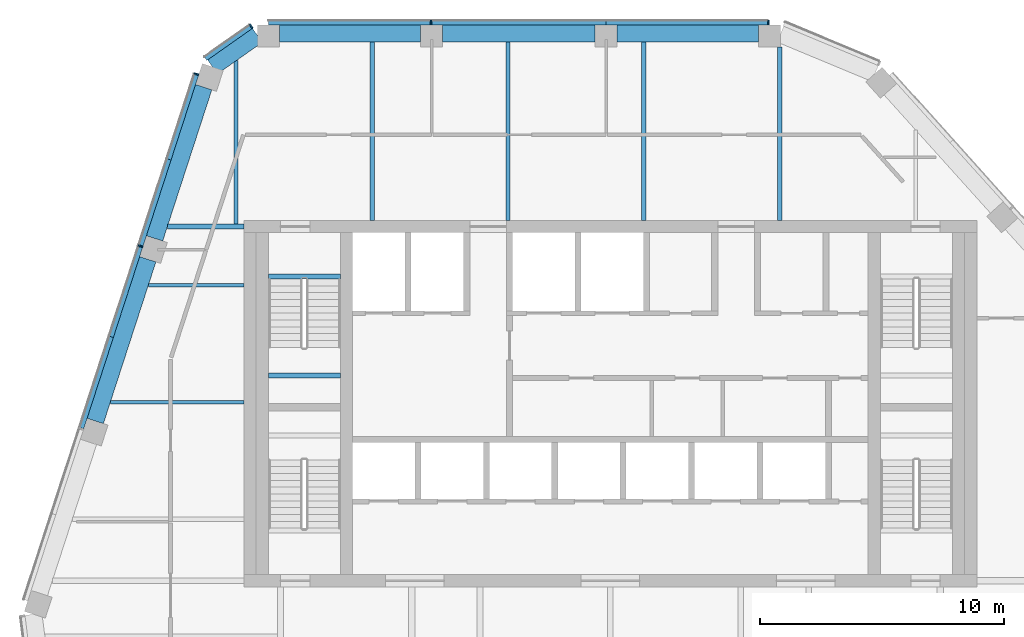
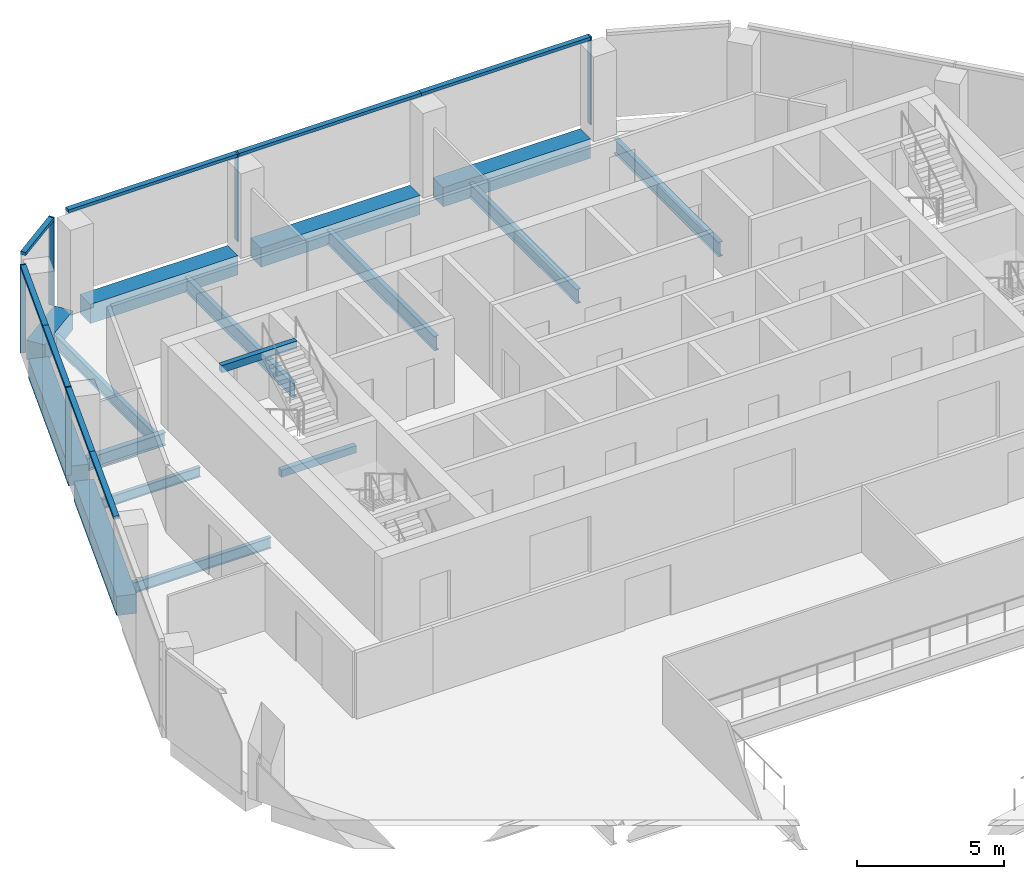
# One storey, part 5 of 15: 16 beams, 13 members, 3 elements without a shape of their own.
"""IFC4 building model written with IfcOpenShell, lengths in metres."""

from ifc_helpers import new_model, si_unit, direction, frame, origin, origin_2d, place, context, subcontext, project, spatial, rectangle, i_section, extrude, material, layer, layer_set, material_profile, profile_set, type_object, element, aggregate, save


model = new_model("IFC4")

# Units and contexts
model_context = context("Model", 3, precision=1e-05, world=origin(), true_north=direction((0.0, 1.0)))
body_context = subcontext(model_context, "Body", "Model", "MODEL_VIEW")
ifc_project = project(units=[si_unit("LENGTHUNIT", "METRE"), si_unit("AREAUNIT", "SQUARE_METRE"), si_unit("VOLUMEUNIT", "CUBIC_METRE"), si_unit("PLANEANGLEUNIT", "RADIAN"), si_unit("MASSUNIT", "GRAM", prefix="KILO")], contexts=[model_context])

# Site, building, storey
site_placement = place(None, origin())
site = spatial("IfcSite", under=ifc_project, at=site_placement, CompositionType="ELEMENT")
building_placement = place(site_placement, origin())
building = spatial("IfcBuilding", under=site, at=building_placement, Name="Isthmus Gate Tower", CompositionType="ELEMENT")
storey_placement = place(building_placement, frame((0.0, 0.0, 286.5)))
storey = spatial("IfcBuildingStorey", under=building, at=storey_placement, Name="L73", CompositionType="ELEMENT", Elevation=286.5)

# Curtain wall, members
ifc_material_1 = material(Name="Aluminium, pale champagne anodised", Category="aluminium")
ifc_layer = layer(ifc_material_1, 0.199951171875)
ifc_layer_set = layer_set([ifc_layer], Name="CW-1 UNITISED CURTAIN WALL 200 DEEP")
curtain_wall_type = type_object("IfcCurtainWallType", Name="CW-1 UNITISED CURTAIN WALL 200 DEEP", PredefinedType="NOTDEFINED", material=ifc_layer_set)
curtain_wall_1_placement = place(storey_placement, origin())
curtain_wall_1 = element("IfcCurtainWall", 1, at=curtain_wall_1_placement, inside=storey, type_object=curtain_wall_type, Name="CW-1 N L73", PredefinedType="NOTDEFINED")
ifc_material_2 = material(Name="Aluminium, pale champagne anodised", Category="aluminium")
ifc_material_profile_1 = material_profile(ifc_material_2, rectangle(XDim=0.06005859375, YDim=0.199951171875, at=origin_2d()), Name="60x200")
ifc_profile_set_1 = profile_set([ifc_material_profile_1], Name="Aluminium, pale champagne anodised")
member_type_1 = type_object("IfcMemberType", Name="CW-1 MULLION 60 X 200", PredefinedType="MULLION", material=ifc_profile_set_1)
member_1_placement = place(storey_placement, frame((6.4794921875, 23.10009765625, 0.0), z_axis=(0.0, 0.0, 1.0), x_axis=(-1.0, 0.0, 0.0)))
member_1 = element("IfcMember", 2, at=member_1_placement, type_object=member_type_1, Name="CW-1 mullion", PredefinedType="MULLION", context=body_context, shape_type="SweptSolid", body=[
    extrude(rectangle(XDim=0.06005859375, YDim=0.199951171875, at=origin_2d()), origin(), (0.0, 0.0, 1.0), 3.64990234375),
])
member_2_placement = place(storey_placement, frame((-7.339599609375, 23.10009765625, 0.0), z_axis=(0.0, 0.0, 1.0), x_axis=(-1.0, 0.0, 0.0)))
member_2 = element("IfcMember", 3, at=member_2_placement, type_object=member_type_1, Name="CW-1 mullion", PredefinedType="MULLION", context=body_context, shape_type="SweptSolid", body=[
    extrude(rectangle(XDim=0.06005859375, YDim=0.199951171875, at=origin_2d()), origin(), (0.0, 0.0, 1.0), 3.64990234375),
])

# Curtain wall, member
curtain_wall_2_placement = place(storey_placement, origin())
curtain_wall_2 = element("IfcCurtainWall", 4, at=curtain_wall_2_placement, inside=storey, type_object=curtain_wall_type, Name="CW-1 N-NW L73", PredefinedType="NOTDEFINED")
member_3_placement = place(storey_placement, frame((-14.69873046875, 22.943115234375, 0.0), z_axis=(0.0, 0.0, 1.0), x_axis=(-0.81785959165, -0.57541783805, 0.0)))
member_3 = element("IfcMember", 5, at=member_3_placement, type_object=member_type_1, Name="CW-1 mullion", PredefinedType="MULLION", context=body_context, shape_type="SweptSolid", body=[
    extrude(rectangle(XDim=0.06005859375, YDim=0.199951171875, at=origin_2d()), origin(), (0.0, 0.0, 1.0), 3.64990234375),
])

# Curtain wall, members
curtain_wall_3_placement = place(storey_placement, origin())
curtain_wall_3 = element("IfcCurtainWall", 6, at=curtain_wall_3_placement, inside=storey, type_object=curtain_wall_type, Name="CW-1 NW L73", PredefinedType="NOTDEFINED")
member_4_placement = place(storey_placement, frame((-16.9404296875, 20.9892578125, 0.0), z_axis=(0.0, 0.0, 1.0), x_axis=(-0.309016994375, -0.951056516295, 0.0)))
member_4 = element("IfcMember", 7, at=member_4_placement, type_object=member_type_1, Name="CW-1 mullion", PredefinedType="MULLION", context=body_context, shape_type="SweptSolid", body=[
    extrude(rectangle(XDim=0.06005859375, YDim=0.199951171875, at=origin_2d()), origin(), (0.0, 0.0, 1.0), 3.64990234375),
])
member_5_placement = place(storey_placement, frame((-19.229248046875, 13.945068359375, 0.0), z_axis=(0.0, 0.0, 1.0), x_axis=(-0.309016994375, -0.951056516295, 0.0)))
member_5 = element("IfcMember", 8, at=member_5_placement, type_object=member_type_1, Name="CW-1 mullion", PredefinedType="MULLION", context=body_context, shape_type="SweptSolid", body=[
    extrude(rectangle(XDim=0.06005859375, YDim=0.199951171875, at=origin_2d()), origin(), (0.0, 0.0, 1.0), 3.64990234375),
])

# Member
ifc_material_3 = material(Name="Aluminium, pale champagne anodised", Category="aluminium")
ifc_material_profile_2 = material_profile(ifc_material_3, rectangle(XDim=0.199951171875, YDim=0.1298828125, at=origin_2d()), Name="200x130")
ifc_profile_set_2 = profile_set([ifc_material_profile_2], Name="Aluminium, pale champagne anodised")
member_type_2 = type_object("IfcMemberType", Name="CW-1 TRANSOM 200 X 130", PredefinedType="USERDEFINED", material=ifc_profile_set_2)
member_6_placement = place(storey_placement, frame((6.449462890625, 23.10009765625, 3.5849609375), z_axis=(-1.0, 0.0, 0.0), x_axis=(0.0, -1.0, 0.0)))
member_6 = element("IfcMember", 9, at=member_6_placement, type_object=member_type_2, Name="CW-1 transom", ObjectType="TRANSOM", PredefinedType="USERDEFINED", context=body_context, shape_type="SweptSolid", body=[
    extrude(rectangle(XDim=0.199951171875, YDim=0.1298828125, at=origin_2d()), origin(), (0.0, 0.0, 1.0), 6.62451171875),
])

member_7_placement = place(storey_placement, frame((-0.175048828125, 23.10009765625, 3.5849609375), z_axis=(-1.0, 0.0, 0.0), x_axis=(0.0, -1.0, 0.0)))
member_7 = element("IfcMember", 10, at=member_7_placement, type_object=member_type_2, Name="CW-1 transom", ObjectType="TRANSOM", PredefinedType="USERDEFINED", context=body_context, shape_type="SweptSolid", body=[
    extrude(rectangle(XDim=0.199951171875, YDim=0.1298828125, at=origin_2d()), origin(), (0.0, 0.0, 1.0), 7.134521484375),
])

member_8_placement = place(storey_placement, frame((-7.36962890625, 23.10009765625, 3.5849609375), z_axis=(-1.0, 0.0, 0.0), x_axis=(0.0, -1.0, 0.0)))
member_8 = element("IfcMember", 11, at=member_8_placement, type_object=member_type_2, Name="CW-1 transom", ObjectType="TRANSOM", PredefinedType="USERDEFINED", context=body_context, shape_type="SweptSolid", body=[
    extrude(rectangle(XDim=0.199951171875, YDim=0.1298828125, at=origin_2d()), origin(), (0.0, 0.0, 1.0), 6.62451171875),
])

aggregate(curtain_wall_1, [member_1, member_6, member_7, member_2, member_8])

member_9_placement = place(storey_placement, frame((-14.723388671875, 22.92578125, 3.5849609375), z_axis=(-0.817868595604, -0.575405040233, 0.0), x_axis=(0.575405040233, -0.817868595604, 0.0)))
member_9 = element("IfcMember", 12, at=member_9_placement, type_object=member_type_2, Name="CW-1 transom", ObjectType="TRANSOM", PredefinedType="USERDEFINED", context=body_context, shape_type="SweptSolid", body=[
    extrude(rectangle(XDim=0.199951171875, YDim=0.1298828125, at=origin_2d()), origin(), (0.0, 0.0, 1.0), 2.258544921875),
])

aggregate(curtain_wall_2, [member_3, member_9])

member_10_placement = place(storey_placement, frame((-16.94970703125, 20.960693359375, 3.5849609375), z_axis=(-0.30904213216, -0.951048348166, 0.0), x_axis=(0.951048348166, -0.30904213216, 0.0)))
member_10 = element("IfcMember", 13, at=member_10_placement, type_object=member_type_2, Name="CW-1 transom", ObjectType="TRANSOM", PredefinedType="USERDEFINED", context=body_context, shape_type="SweptSolid", body=[
    extrude(rectangle(XDim=0.199951171875, YDim=0.1298828125, at=origin_2d()), origin(), (0.0, 0.0, 1.0), 3.6435546875),
])

member_11_placement = place(storey_placement, frame((-18.07568359375, 17.49560546875, 3.5849609375), z_axis=(-0.308999609488, -0.951062164812, 0.0), x_axis=(0.951062164812, -0.308999609488, 0.0)))
member_11 = element("IfcMember", 14, at=member_11_placement, type_object=member_type_2, Name="CW-1 transom", ObjectType="TRANSOM", PredefinedType="USERDEFINED", context=body_context, shape_type="SweptSolid", body=[
    extrude(rectangle(XDim=0.199951171875, YDim=0.1298828125, at=origin_2d()), origin(), (0.0, 0.0, 1.0), 3.703125),
])

member_12_placement = place(storey_placement, frame((-19.238525390625, 13.91650390625, 3.5849609375), z_axis=(-0.309061811928, -0.951041953022, 0.0), x_axis=(0.951041953022, -0.309061811928, 0.0)))
member_12 = element("IfcMember", 15, at=member_12_placement, type_object=member_type_2, Name="CW-1 transom", ObjectType="TRANSOM", PredefinedType="USERDEFINED", context=body_context, shape_type="SweptSolid", body=[
    extrude(rectangle(XDim=0.199951171875, YDim=0.1298828125, at=origin_2d()), origin(), (0.0, 0.0, 1.0), 3.868408203125),
])

member_13_placement = place(storey_placement, frame((-20.43408203125, 10.237548828125, 3.5849609375), z_axis=(-0.308984896154, -0.951066945041, 0.0), x_axis=(0.951066945041, -0.308984896154, 0.0)))
member_13 = element("IfcMember", 16, at=member_13_placement, type_object=member_type_2, Name="CW-1 transom", ObjectType="TRANSOM", PredefinedType="USERDEFINED", context=body_context, shape_type="SweptSolid", body=[
    extrude(rectangle(XDim=0.199951171875, YDim=0.1298828125, at=origin_2d()), origin(), (0.0, 0.0, 1.0), 3.928466796875),
])

aggregate(curtain_wall_3, [member_4, member_10, member_11, member_5, member_12, member_13])

# Beams
ifc_material_4 = material(Name="Concrete f'c 50 MPa", Category="concrete")
ifc_material_profile_3 = material_profile(ifc_material_4, rectangle(XDim=0.699951171875, YDim=0.800048828125, at=origin_2d()), Name="RC 700X800")
ifc_profile_set_3 = profile_set([ifc_material_profile_3], Name="Concrete f'c 50 MPa")
beam_type_1 = type_object("IfcBeamType", Name="RC SPANDREL 700 X 800", PredefinedType="SPANDREL", material=ifc_profile_set_3)
beam_1_placement = place(storey_placement, frame((-21.080810546875, 6.790283203125, -0.39990234375), z_axis=(0.309006716915, 0.951059855583, 0.0), x_axis=(-0.951059855583, 0.309006716915, 0.0)))
element("IfcBeam", 17, at=beam_1_placement, inside=storey, type_object=beam_type_1, Name="str-spandrel-L73-18", PredefinedType="SPANDREL", context=body_context, shape_type="SweptSolid", body=[
    extrude(rectangle(XDim=0.699951171875, YDim=0.800048828125, at=origin_2d()), origin(), (0.0, 0.0, 1.0), 6.956787109375),
])
beam_2_placement = place(storey_placement, frame((-18.653076171875, 14.262451171875, -0.39990234375), z_axis=(0.30901480678, 0.951057227085, 0.0), x_axis=(-0.951057227085, 0.30901480678, 0.0)))
element("IfcBeam", 18, at=beam_2_placement, inside=storey, type_object=beam_type_1, Name="str-spandrel-L73-19", PredefinedType="SPANDREL", context=body_context, shape_type="SweptSolid", body=[
    extrude(rectangle(XDim=0.699951171875, YDim=0.800048828125, at=origin_2d()), origin(), (0.0, 0.0, 1.0), 6.5068359375),
])
beam_3_placement = place(storey_placement, frame((-16.281005859375, 21.27978515625, -0.39990234375), z_axis=(0.817891678431, 0.57537222939, 0.0), x_axis=(-0.57537222939, 0.817891678431, 0.0)))
element("IfcBeam", 19, at=beam_3_placement, inside=storey, type_object=beam_type_1, Name="str-spandrel-L73-20", PredefinedType="SPANDREL", context=body_context, shape_type="SweptSolid", body=[
    extrude(rectangle(XDim=0.699951171875, YDim=0.800048828125, at=origin_2d()), origin(), (0.0, 0.0, 1.0), 2.245849609375),
])
beam_4_placement = place(storey_placement, frame((-13.544189453125, 22.64990234375, -0.39990234375), z_axis=(1.0, 0.0, 0.0), x_axis=(0.0, 1.0, 0.0)))
element("IfcBeam", 20, at=beam_4_placement, inside=storey, type_object=beam_type_1, Name="str-spandrel-L73-21", PredefinedType="SPANDREL", context=body_context, shape_type="SweptSolid", body=[
    extrude(rectangle(XDim=0.699951171875, YDim=0.800048828125, at=origin_2d()), origin(), (0.0, 0.0, 1.0), 5.78466796875),
])
beam_5_placement = place(storey_placement, frame((-6.859619140625, 22.64990234375, -0.39990234375), z_axis=(1.0, 0.0, 0.0), x_axis=(0.0, 1.0, 0.0)))
element("IfcBeam", 21, at=beam_5_placement, inside=storey, type_object=beam_type_1, Name="str-spandrel-L73-22", PredefinedType="SPANDREL", context=body_context, shape_type="SweptSolid", body=[
    extrude(rectangle(XDim=0.699951171875, YDim=0.800048828125, at=origin_2d()), origin(), (0.0, 0.0, 1.0), 6.234619140625),
])
beam_6_placement = place(storey_placement, frame((0.27490234375, 22.64990234375, -0.39990234375), z_axis=(1.0, 0.0, 0.0), x_axis=(0.0, 1.0, 0.0)))
element("IfcBeam", 22, at=beam_6_placement, inside=storey, type_object=beam_type_1, Name="str-spandrel-L73-23", PredefinedType="SPANDREL", context=body_context, shape_type="SweptSolid", body=[
    extrude(rectangle(XDim=0.699951171875, YDim=0.800048828125, at=origin_2d()), origin(), (0.0, 0.0, 1.0), 5.784423828125),
])
ifc_material_5 = material(Name="Concrete f'c 40 MPa", Category="concrete")
ifc_material_profile_4 = material_profile(ifc_material_5, rectangle(XDim=0.199951171875, YDim=0.300048828125, at=origin_2d()), Name="STAIR LANDING BEAM RC 200 X 300")
ifc_profile_set_4 = profile_set([ifc_material_profile_4], Name="Concrete f'c 40 MPa")
beam_type_2 = type_object("IfcBeamType", Name="STAIR LANDING BEAM RC 200 X 300", PredefinedType="BEAM", material=ifc_profile_set_4)
for number, where, z_axis, x_axis, name in (
    (23, (-14.0, 8.64990234375, 1.47509765625), (1.0, 0.0, 0.0), (0.0, 1.0, 0.0), "L73 ST1 landing beam 1"),
    (24, (-14.0, 12.7001953125, 3.35009765625), (1.0, 0.0, 0.0), (0.0, 1.0, 0.0), "L73 ST1 floor-edge seat beam"),
):
    element("IfcBeam", number, at=place(storey_placement, frame(where, z_axis=z_axis, x_axis=x_axis)), inside=storey, type_object=beam_type_2, Name=name, PredefinedType="BEAM", context=body_context, shape_type="SweptSolid", body=[
        extrude(rectangle(XDim=0.199951171875, YDim=0.300048828125, at=origin_2d()), origin(), (0.0, 0.0, 1.0), 2.949951171875),
    ])
ifc_material_6 = material(Name="Structural steel ASTM A992 Gr 50", Category="steel")
ifc_material_profile_5 = material_profile(ifc_material_6, i_section(OverallWidth=0.1396484375, OverallDepth=0.4033203125, WebThickness=0.00634765625, FlangeThickness=0.010986328125, at=origin_2d()), Name="W16X31")
ifc_profile_set_5 = profile_set([ifc_material_profile_5], Name="Structural steel ASTM A992 Gr 50")
beam_type_3 = type_object("IfcBeamType", Name="STEEL FLOOR BEAM W16X31", PredefinedType="JOIST", material=ifc_profile_set_5)
beam_7_placement = place(storey_placement, frame((-18.905517578125, 12.352294921875, -0.3515625), z_axis=(1.0, 0.0, 0.0), x_axis=(0.0, 1.0, 0.0)))
element("IfcBeam", 25, at=beam_7_placement, inside=storey, type_object=beam_type_3, Name="str-beam-L73-00-02", PredefinedType="JOIST", context=body_context, shape_type="SweptSolid", body=[
    extrude(i_section(OverallWidth=0.1396484375, OverallDepth=0.4033203125, WebThickness=0.00634765625, FlangeThickness=0.010986328125, at=origin_2d()), origin(), (0.0, 0.0, 1.0), 3.905517578125),
])
ifc_material_7 = material(Name="Structural steel ASTM A992 Gr 50", Category="steel")
ifc_material_profile_6 = material_profile(ifc_material_7, i_section(OverallWidth=0.15234375, OverallDepth=0.45068359375, WebThickness=0.0078125, FlangeThickness=0.010986328125, at=origin_2d()), Name="W18X35")
ifc_profile_set_6 = profile_set([ifc_material_profile_6], Name="Structural steel ASTM A992 Gr 50")
beam_type_4 = type_object("IfcBeamType", Name="STEEL FLOOR BEAM W18X35", PredefinedType="JOIST", material=ifc_profile_set_6)
beam_8_placement = place(storey_placement, frame((-20.463623046875, 7.55712890625, -0.37548828125), z_axis=(1.0, 0.0, 0.0), x_axis=(0.0, 1.0, 0.0)))
element("IfcBeam", 26, at=beam_8_placement, inside=storey, type_object=beam_type_4, Name="str-beam-L73-00-01", PredefinedType="JOIST", context=body_context, shape_type="SweptSolid", body=[
    extrude(i_section(OverallWidth=0.15234375, OverallDepth=0.45068359375, WebThickness=0.0078125, FlangeThickness=0.010986328125, at=origin_2d()), origin(), (0.0, 0.0, 1.0), 5.463623046875),
])
ifc_material_8 = material(Name="Structural steel ASTM A992 Gr 50", Category="steel")
ifc_material_profile_7 = material_profile(ifc_material_8, i_section(OverallWidth=0.1650390625, OverallDepth=0.52392578125, WebThickness=0.009521484375, FlangeThickness=0.010986328125, at=origin_2d()), Name="W21X44")
ifc_profile_set_7 = profile_set([ifc_material_profile_7], Name="Structural steel ASTM A992 Gr 50")
beam_type_5 = type_object("IfcBeamType", Name="STEEL FLOOR BEAM W21X44", PredefinedType="JOIST", material=ifc_profile_set_7)
beam_9_placement = place(storey_placement, frame((-15.311767578125, 14.854736328125, -0.411865234375), z_axis=(0.0, 1.0, 0.0), x_axis=(-1.0, 0.0, 0.0)))
element("IfcBeam", 27, at=beam_9_placement, inside=storey, type_object=beam_type_5, Name="str-beam-L73-07-00", PredefinedType="JOIST", context=body_context, shape_type="SweptSolid", body=[
    extrude(i_section(OverallWidth=0.1650390625, OverallDepth=0.52392578125, WebThickness=0.009521484375, FlangeThickness=0.010986328125, at=origin_2d()), origin(), (0.0, 0.0, 1.0), 6.678955078125),
])
ifc_material_9 = material(Name="Structural steel ASTM A992 Gr 50", Category="steel")
ifc_material_profile_8 = material_profile(ifc_material_9, i_section(OverallWidth=0.177734375, OverallDepth=0.60009765625, WebThickness=0.009521484375, FlangeThickness=0.0126953125, at=origin_2d()), Name="W24X55")
ifc_profile_set_8 = profile_set([ifc_material_profile_8], Name="Structural steel ASTM A992 Gr 50")
beam_type_6 = type_object("IfcBeamType", Name="STEEL FLOOR BEAM W24X55", PredefinedType="JOIST", material=ifc_profile_set_8)
for number, where, z_axis, x_axis, name in (
    (28, (-9.750244140625, 15.0, -0.449951171875), (0.0, 1.0, 0.0), (-1.0, 0.0, 0.0), "str-beam-L73-07-01"),
    (29, (-4.188720703125, 15.0, -0.449951171875), (0.0, 1.0, 0.0), (-1.0, 0.0, 0.0), "str-beam-L73-07-02"),
    (30, (1.372802734375, 15.0, -0.449951171875), (0.0, 1.0, 0.0), (-1.0, 0.0, 0.0), "str-beam-L73-07-03"),
):
    element("IfcBeam", number, at=place(storey_placement, frame(where, z_axis=z_axis, x_axis=x_axis)), inside=storey, type_object=beam_type_6, Name=name, PredefinedType="JOIST", context=body_context, shape_type="SweptSolid", body=[
        extrude(i_section(OverallWidth=0.177734375, OverallDepth=0.60009765625, WebThickness=0.009521484375, FlangeThickness=0.0126953125, at=origin_2d()), origin(), (0.0, 0.0, 1.0), 7.300048828125),
    ])
beam_10_placement = place(storey_placement, frame((6.93408203125, 15.0, -0.449951171875), z_axis=(0.0, 1.0, 0.0), x_axis=(-1.0, 0.0, 0.0)))
element("IfcBeam", 31, at=beam_10_placement, inside=storey, type_object=beam_type_6, Name="str-beam-L73-07-04", PredefinedType="JOIST", context=body_context, shape_type="SweptSolid", body=[
    extrude(i_section(OverallWidth=0.177734375, OverallDepth=0.60009765625, WebThickness=0.009521484375, FlangeThickness=0.0126953125, at=origin_2d()), origin(), (0.0, 0.0, 1.0), 7.10009765625),
])
ifc_material_10 = material(Name="Structural steel ASTM A992 Gr 50", Category="steel")
ifc_material_profile_9 = material_profile(ifc_material_10, i_section(OverallWidth=0.20947265625, OverallDepth=0.533447265625, WebThickness=0.009521484375, FlangeThickness=0.015869140625, at=origin_2d()), Name="W21X62")
ifc_profile_set_9 = profile_set([ifc_material_profile_9], Name="Structural steel ASTM A992 Gr 50")
beam_type_7 = type_object("IfcBeamType", Name="STEEL GIRDER W21X62", PredefinedType="BEAM", material=ifc_profile_set_9)
beam_11_placement = place(storey_placement, frame((-15.0, 14.75, -0.416748046875), z_axis=(-1.0, 0.0, 0.0), x_axis=(0.0, -1.0, 0.0)))
element("IfcBeam", 32, at=beam_11_placement, inside=storey, type_object=beam_type_7, Name="str-girder-L73-11", PredefinedType="BEAM", context=body_context, shape_type="SweptSolid", body=[
    extrude(i_section(OverallWidth=0.20947265625, OverallDepth=0.533447265625, WebThickness=0.009521484375, FlangeThickness=0.015869140625, at=origin_2d()), origin(), (0.0, 0.0, 1.0), 3.12646484375),
])

save(model, "model.ifc")
